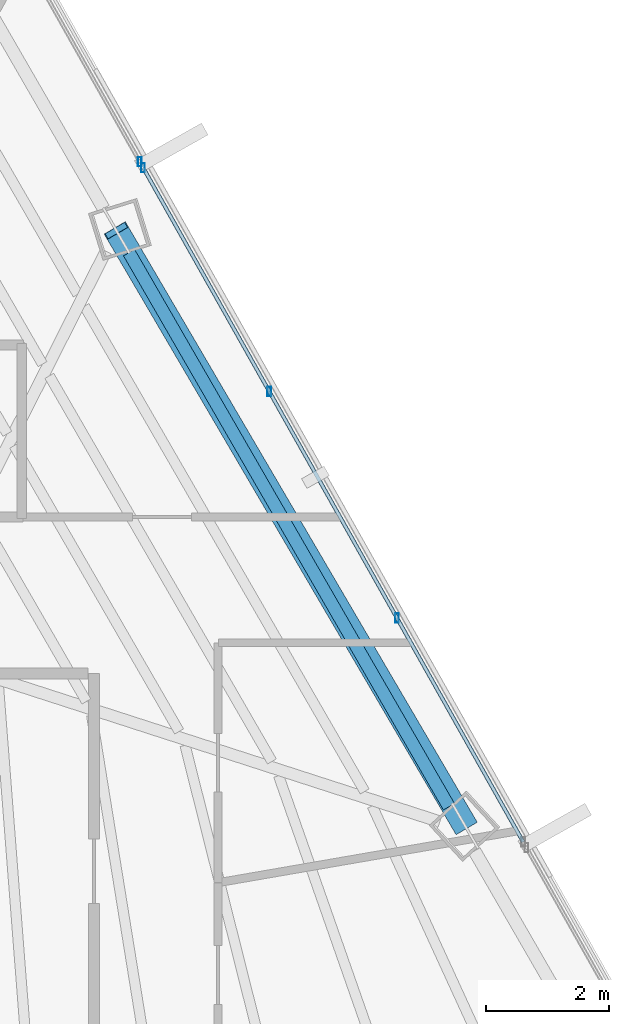
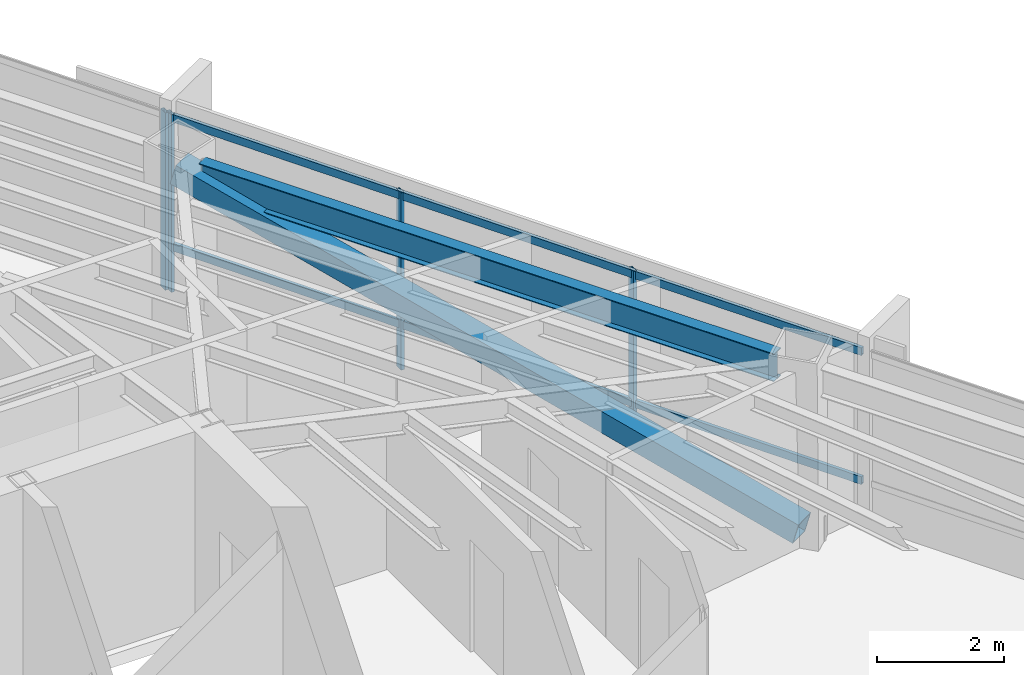
# One storey, part 26 of 42: 7 members, 1 beam, 2 elements without a shape of their own.
"""IFC4 building model written with IfcOpenShell, lengths in metres."""

from ifc_helpers import new_model, si_unit, direction, frame, origin, origin_2d, place, context, subcontext, project, spatial, hollow_rectangle, i_section, extrude, source, transform, mapped, material, material_profile, profile_set, type_object, type_shapes, element, aggregate, save


model = new_model("IFC4")

# Units and contexts
model_context = context("Model", 3, precision=1e-05, world=origin(), true_north=direction((0.0, 1.0)))
body_context = subcontext(model_context, "Body", "Model", "MODEL_VIEW")
ifc_project = project(units=[si_unit("LENGTHUNIT", "METRE"), si_unit("AREAUNIT", "SQUARE_METRE"), si_unit("VOLUMEUNIT", "CUBIC_METRE"), si_unit("PLANEANGLEUNIT", "RADIAN"), si_unit("MASSUNIT", "GRAM", prefix="KILO")], contexts=[model_context])

# Site, building, storey
site_placement = place(None, origin())
site = spatial("IfcSite", under=ifc_project, at=site_placement, CompositionType="ELEMENT")
building_placement = place(site_placement, origin())
building = spatial("IfcBuilding", under=site, at=building_placement, Name="Caelisora Broadcast Tower", CompositionType="ELEMENT")
storey_placement = place(building_placement, frame((0.0, 0.0, 191.35009765625)))
storey = spatial("IfcBuildingStorey", under=building, at=storey_placement, Name="L50", CompositionType="ELEMENT", Elevation=191.35009765625)

# Beam
ifc_material_1 = material(Name="Steel Grade 350 (AS/NZS 3679.1)", Category="steel")
ifc_material_profile_1 = material_profile(ifc_material_1, i_section(OverallWidth=0.208984375, OverallDepth=0.532958984375, WebThickness=0.01025390625, FlangeThickness=0.015625, at=origin_2d()), Name="Steel Grade 350 (AS/NZS 3679.1)")
ifc_profile_set_1 = profile_set([ifc_material_profile_1], Name="Steel Grade 350 (AS/NZS 3679.1)")
beam_type = type_object("IfcBeamType", Name="PG05", PredefinedType="BEAM", material=ifc_profile_set_1)
shared_shape_1 = source(origin(), body_context, "Body", "SweptSolid", [
    extrude(i_section(OverallWidth=0.208984375, OverallDepth=0.532958984375, WebThickness=0.01025390625, FlangeThickness=0.015625, at=origin_2d()), origin(), (0.0, 0.0, 1.0), 10.426025390625),
])
type_shapes(beam_type, [shared_shape_1])
beam_placement = place(storey_placement, frame((54.362548828125, 27.427490234375, 3.13330078125), z_axis=(-0.49998731371, 0.866032728093, 0.0), x_axis=(-0.866032728093, -0.49998731371, 0.0)))
element("IfcBeam", 1, at=beam_placement, inside=storey, type_object=beam_type, Name="L50 beam PG05", PredefinedType="BEAM", context=body_context, shape_type="MappedRepresentation", body=[
    mapped(shared_shape_1, transform((0.0, 0.0, 0.0), scale=1.0)),
])

# Member
ifc_material_2 = material(Name="Steel Grade 450 (AS/NZS 1163 C450L0)", Category="steel")
ifc_material_profile_2 = material_profile(ifc_material_2, hollow_rectangle(XDim=0.39990234375, YDim=0.39990234375, WallThickness=0.01611328125, at=origin_2d()), Name="Steel Grade 450 (AS/NZS 1163 C450L0)")
ifc_profile_set_2 = profile_set([ifc_material_profile_2], Name="Steel Grade 450 (AS/NZS 1163 C450L0)")
member_type_1 = type_object("IfcMemberType", Name="BR04", PredefinedType="BRACE", material=ifc_profile_set_2)
shared_shape_2 = source(origin(), body_context, "Body", "SweptSolid", [
    extrude(hollow_rectangle(XDim=0.39990234375, YDim=0.39990234375, WallThickness=0.01611328125, at=origin_2d()), origin(), (0.0, 0.0, 1.0), 11.635009765625),
])
type_shapes(member_type_1, [shared_shape_2])
member_1_placement = place(storey_placement, frame((54.625, 27.11767578125, 0.099853515625), z_axis=(-0.488466343169, 0.833617890863, 0.257840733058), x_axis=(-0.862791071467, -0.505560646211, 0.0)))
element("IfcMember", 2, at=member_1_placement, inside=storey, type_object=member_type_1, Name="L50 perimeter brace BR04", PredefinedType="BRACE", context=body_context, shape_type="MappedRepresentation", body=[
    mapped(shared_shape_2, transform((0.0, 0.0, 0.0), scale=1.0)),
])

# Curtain wall, member
ifc_material_3 = material(Name="Unitised Aluminium and Low-E Glass Curtain Wall", Category="glass")
curtain_wall_type_1 = type_object("IfcCurtainWallType", Name="CW-Z4", PredefinedType="NOTDEFINED", material=ifc_material_3)
curtain_wall_1_placement = place(storey_placement, origin())
curtain_wall_1 = element("IfcCurtainWall", 3, at=curtain_wall_1_placement, inside=storey, type_object=curtain_wall_type_1, Name="L50 curtain wall CW-Z4", PredefinedType="NOTDEFINED")
ifc_material_4 = material(Name="Aluminium 6063-T6 Anodised Terracotta Bronze", Category="aluminium")
ifc_material_profile_3 = material_profile(ifc_material_4, hollow_rectangle(XDim=0.06005859375, YDim=0.14990234375, WallThickness=0.00341796875, at=origin_2d()), Name="Aluminium 6063-T6 Anodised Terracotta Bronze")
ifc_profile_set_3 = profile_set([ifc_material_profile_3], Name="Aluminium 6063-T6 Anodised Terracotta Bronze")
member_type_2 = type_object("IfcMemberType", Name="CWM-03", PredefinedType="MULLION", material=ifc_profile_set_3)
shared_shape_3 = source(origin(), body_context, "Body", "SweptSolid", [
    extrude(hollow_rectangle(XDim=0.06005859375, YDim=0.14990234375, WallThickness=0.00341796875, at=origin_2d()), origin(), (0.0, 0.0, 1.0), 3.39990234375),
])
type_shapes(member_type_2, [shared_shape_3])
member_2_placement = place(storey_placement, frame((49.323974609375, 37.9384765625, 0.0), z_axis=(0.0, 0.0, 1.0), x_axis=(1.0, 0.0, 0.0)))
member_2 = element("IfcMember", 4, at=member_2_placement, type_object=member_type_2, Name="L50-CW-B01 mullion #3", PredefinedType="MULLION", context=body_context, shape_type="MappedRepresentation", body=[
    mapped(shared_shape_3, transform((0.0, 0.0, 0.0), scale=1.0)),
])
aggregate(curtain_wall_1, [member_2])

# Curtain wall, members
ifc_material_5 = material(Name="Unitised Aluminium Insulated Shadow-Box Spandrel Curtain Wall", Category="aluminium")
curtain_wall_type_2 = type_object("IfcCurtainWallType", Name="CW-SP2", PredefinedType="NOTDEFINED", material=ifc_material_5)
curtain_wall_2_placement = place(storey_placement, origin())
curtain_wall_2 = element("IfcCurtainWall", 5, at=curtain_wall_2_placement, inside=storey, type_object=curtain_wall_type_2, Name="L50 curtain wall CW-SP2", PredefinedType="NOTDEFINED")
member_3_placement = place(storey_placement, frame((49.3779296875, 37.8427734375, 0.0), z_axis=(0.0, 0.0, 1.0), x_axis=(1.0, 0.0, 0.0)))
member_3 = element("IfcMember", 6, at=member_3_placement, type_object=member_type_2, Name="L50-CW-B02 mullion #0", PredefinedType="MULLION", context=body_context, shape_type="MappedRepresentation", body=[
    mapped(shared_shape_3, transform((0.0, 0.0, 0.0), scale=1.0)),
])
member_4_placement = place(storey_placement, frame((51.4345703125, 34.194091796875, 0.0), z_axis=(0.0, 0.0, 1.0), x_axis=(1.0, 0.0, 0.0)))
member_4 = element("IfcMember", 7, at=member_4_placement, type_object=member_type_2, Name="L50-CW-B02 mullion #1", PredefinedType="MULLION", context=body_context, shape_type="MappedRepresentation", body=[
    mapped(shared_shape_3, transform((0.0, 0.0, 0.0), scale=1.0)),
])
member_5_placement = place(storey_placement, frame((53.515625, 30.502197265625, 0.0), z_axis=(0.0, 0.0, 1.0), x_axis=(1.0, 0.0, 0.0)))
member_5 = element("IfcMember", 8, at=member_5_placement, type_object=member_type_2, Name="L50-CW-B02 mullion #2", PredefinedType="MULLION", context=body_context, shape_type="MappedRepresentation", body=[
    mapped(shared_shape_3, transform((0.0, 0.0, 0.0), scale=1.0)),
])
ifc_material_profile_4 = material_profile(ifc_material_4, hollow_rectangle(XDim=0.06005859375, YDim=0.14990234375, WallThickness=0.00341796875, at=origin_2d()), Name="Aluminium 6063-T6 Anodised Terracotta Bronze")
ifc_profile_set_4 = profile_set([ifc_material_profile_4], Name="Aluminium 6063-T6 Anodised Terracotta Bronze")
member_type_3 = type_object("IfcMemberType", Name="CWT-02", PredefinedType="USERDEFINED", material=ifc_profile_set_4)
shared_shape_4 = source(origin(), body_context, "Body", "SweptSolid", [
    extrude(hollow_rectangle(XDim=0.06005859375, YDim=0.14990234375, WallThickness=0.00341796875, at=origin_2d()), origin(), (0.0, 0.0, 1.0), 12.614501953125),
])
type_shapes(member_type_3, [shared_shape_4])
member_6_placement = place(storey_placement, frame((49.3779296875, 37.8427734375, 0.849853515625), z_axis=(0.491044841939, -0.871134296883, 0.0), x_axis=(0.871134296883, 0.491044841939, 0.0)))
member_6 = element("IfcMember", 9, at=member_6_placement, type_object=member_type_3, Name="L50-CW-B02 transom #1", ObjectType="TRANSOM", PredefinedType="USERDEFINED", context=body_context, shape_type="MappedRepresentation", body=[
    mapped(shared_shape_4, transform((0.0, 0.0, 0.0), scale=1.0)),
])
member_7_placement = place(storey_placement, frame((49.3779296875, 37.8427734375, 3.31982421875), z_axis=(0.491044841939, -0.871134296883, 0.0), x_axis=(0.871134296883, 0.491044841939, 0.0)))
member_7 = element("IfcMember", 10, at=member_7_placement, type_object=member_type_3, Name="L50-CW-B02 transom #2", ObjectType="TRANSOM", PredefinedType="USERDEFINED", context=body_context, shape_type="MappedRepresentation", body=[
    mapped(shared_shape_4, transform((0.0, 0.0, 0.0), scale=1.0)),
])
aggregate(curtain_wall_2, [member_3, member_4, member_5, member_6, member_7])

save(model, "model.ifc")
